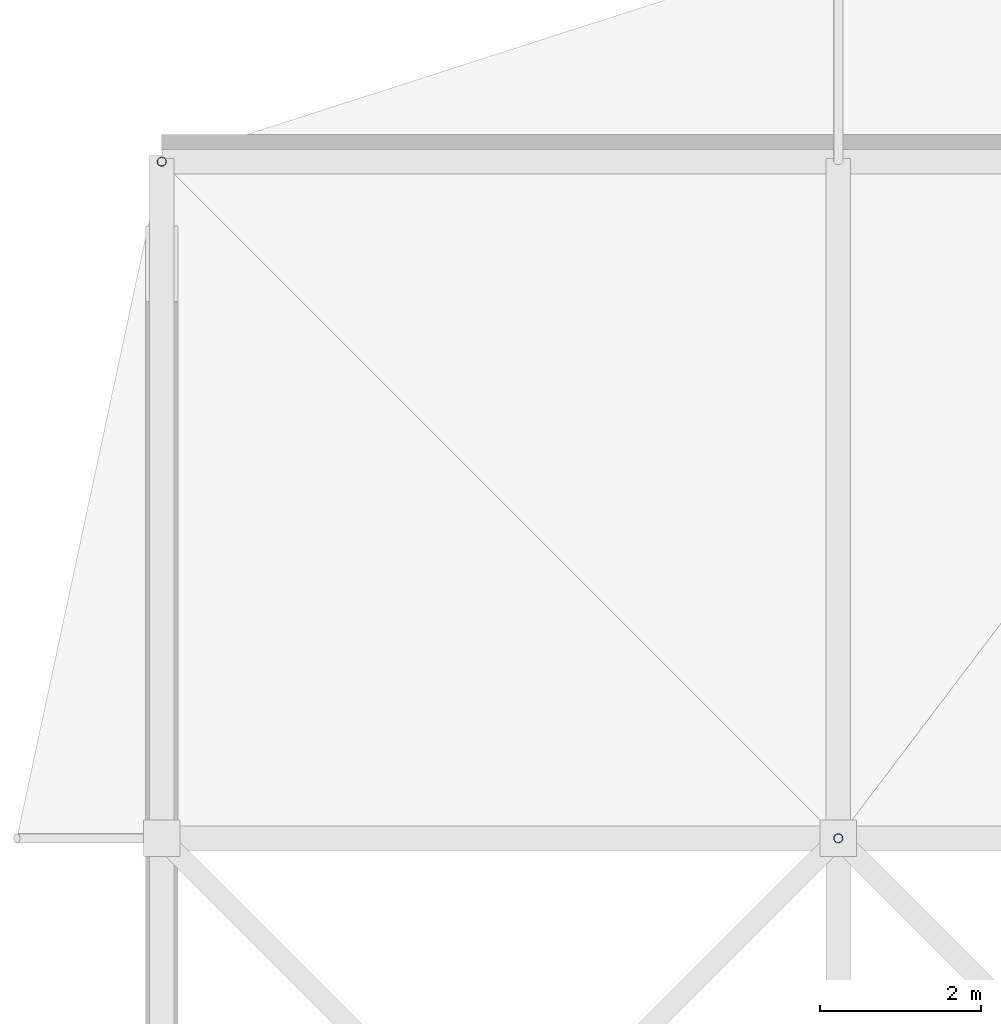
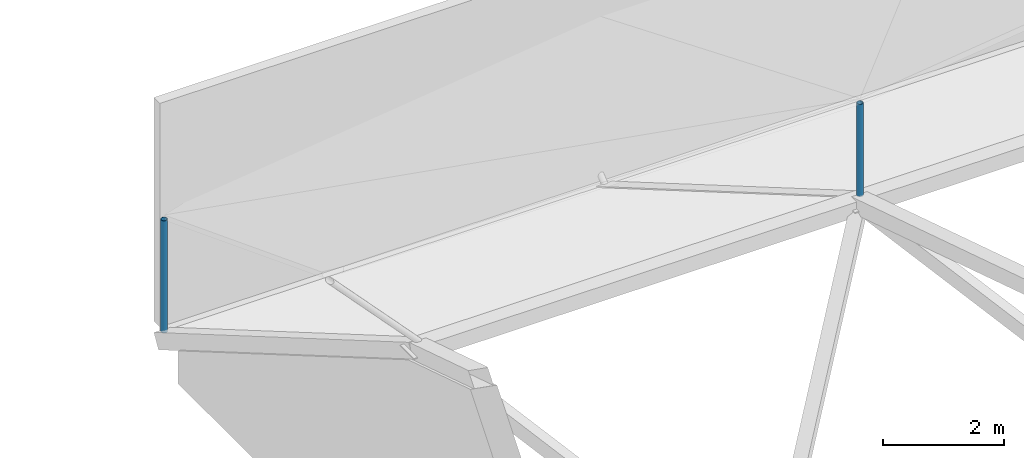
# One storey, part 89 of 111: 2 discrete accessories.
"""IFC4 building model written with IfcOpenShell, lengths in metres."""

from ifc_helpers import new_model, si_unit, direction, frame, origin, origin_2d, place, context, subcontext, project, spatial, hollow_circle, extrude, material, material_profile, profile_set, type_object, element, save


model = new_model("IFC4")

# Units and contexts
model_context = context("Model", 3, precision=1e-05, world=origin(), true_north=direction((0.0, 1.0)))
body_context = subcontext(model_context, "Body", "Model", "MODEL_VIEW")
ifc_project = project(units=[si_unit("LENGTHUNIT", "METRE"), si_unit("AREAUNIT", "SQUARE_METRE"), si_unit("VOLUMEUNIT", "CUBIC_METRE"), si_unit("PLANEANGLEUNIT", "RADIAN"), si_unit("MASSUNIT", "GRAM", prefix="KILO")], contexts=[model_context])

# Site, building, storey
site_placement = place(None, origin())
site = spatial("IfcSite", under=ifc_project, at=site_placement, CompositionType="ELEMENT")
building_placement = place(site_placement, origin())
building = spatial("IfcBuilding", under=site, at=building_placement, Name="Rain Tree Exposition and Congress Centre", CompositionType="ELEMENT")
storey_placement = place(building_placement, frame((0.0, 0.0, 19.5)))
storey = spatial("IfcBuildingStorey", under=building, at=storey_placement, Name="RF", CompositionType="ELEMENT", Elevation=19.5)

# Discrete accessories
ifc_material = material(Name="Steel S355J2H", Category="steel")
ifc_material_profile = material_profile(ifc_material, hollow_circle(Radius=0.05712890625, WallThickness=0.00439453125, at=origin_2d()), Name="CHS 114x4.5")
ifc_profile_set = profile_set([ifc_material_profile], Name="Steel S355J2H")
discrete_accessory_type = type_object("IfcDiscreteAccessoryType", Name="Roof skin post CHS 114x4.5", PredefinedType="BRACKET", material=ifc_profile_set)
discrete_accessory_1_placement = place(storey_placement, frame((151.199951171875, 193.199951171875, 5.39404296875), z_axis=(0.0, 0.0, 1.0), x_axis=(1.0, 0.0, 0.0)))
element("IfcDiscreteAccessory", 1, at=discrete_accessory_1_placement, inside=storey, type_object=discrete_accessory_type, Name="Roof skin post B145", PredefinedType="BRACKET", context=body_context, shape_type="SweptSolid", body=[
    extrude(hollow_circle(Radius=0.05712890625, WallThickness=0.00439453125, at=origin_2d()), origin(), (0.0, 0.0, 1.0), 1.859130859375),
])
discrete_accessory_2_placement = place(storey_placement, frame((142.800048828125, 201.60009765625, 0.5), z_axis=(0.0, 0.0, 1.0), x_axis=(1.0, 0.0, 0.0)))
element("IfcDiscreteAccessory", 2, at=discrete_accessory_2_placement, inside=storey, type_object=discrete_accessory_type, Name="Roof skin post B157", PredefinedType="BRACKET", context=body_context, shape_type="SweptSolid", body=[
    extrude(hollow_circle(Radius=0.05712890625, WallThickness=0.00439453125, at=origin_2d()), origin(), (0.0, 0.0, 1.0), 2.257080078125),
])

save(model, "model.ifc")
